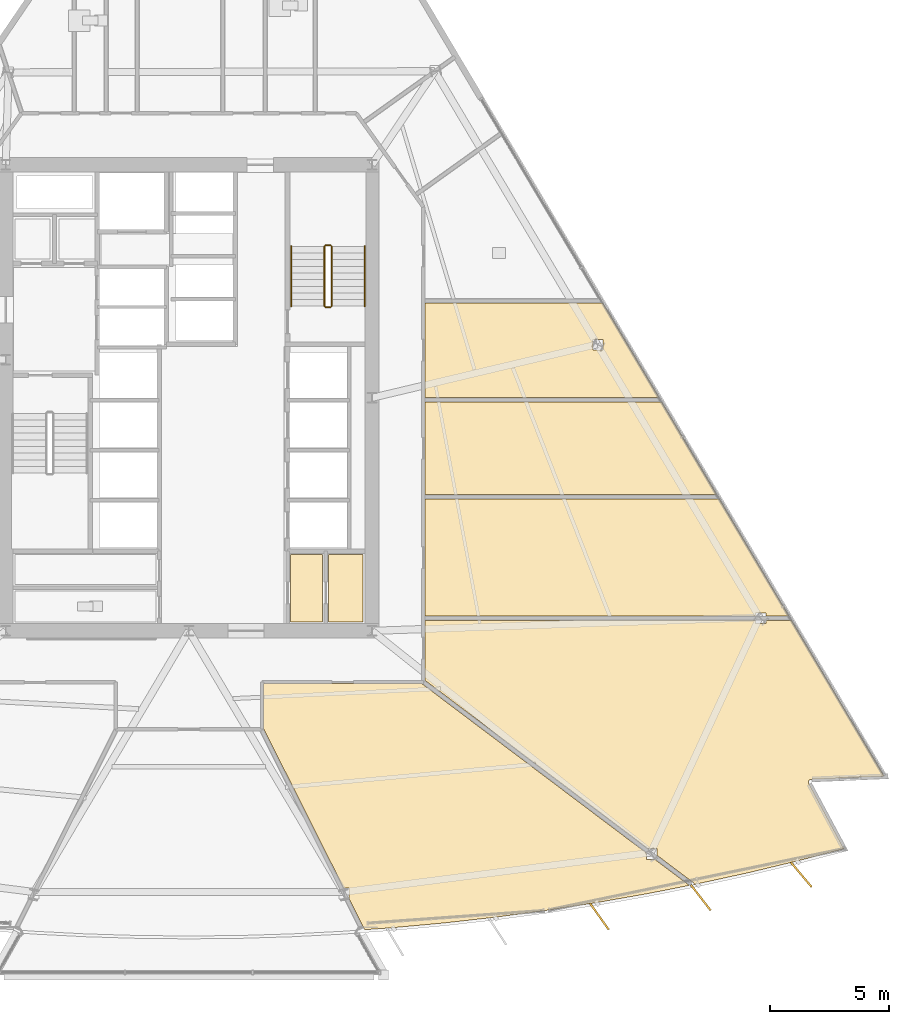
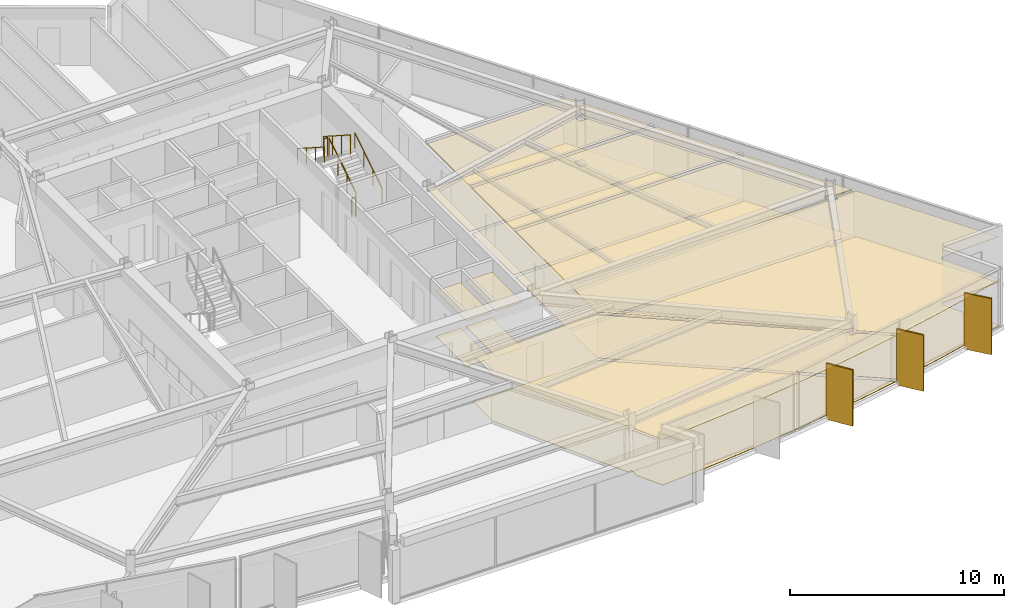
# One storey, part 14 of 16: 14 coverings, 6 railings, 3 shading devices.
"""IFC4 building model written with IfcOpenShell, lengths in metres."""

from ifc_helpers import new_model, si_unit, direction, frame, origin, origin_2d, place, context, subcontext, project, spatial, polyline, rectangle, circle, outline, extrude, material, layer, layer_set, type_object, element, save


model = new_model("IFC4")

# Units and contexts
model_context = context("Model", 3, precision=1e-05, world=origin(), true_north=direction((0.0, 1.0)))
body_context = subcontext(model_context, "Body", "Model", "MODEL_VIEW")
ifc_project = project(units=[si_unit("LENGTHUNIT", "METRE"), si_unit("AREAUNIT", "SQUARE_METRE"), si_unit("VOLUMEUNIT", "CUBIC_METRE"), si_unit("PLANEANGLEUNIT", "RADIAN"), si_unit("MASSUNIT", "GRAM", prefix="KILO")], contexts=[model_context])

# Site, building, storey
site_placement = place(None, origin())
site = spatial("IfcSite", under=ifc_project, at=site_placement, CompositionType="ELEMENT")
building_placement = place(site_placement, origin())
building = spatial("IfcBuilding", under=site, at=building_placement, Name="Savorim Split Tower", CompositionType="ELEMENT")
storey_placement = place(building_placement, frame((0.0, 0.0, 69.60009765625)))
storey = spatial("IfcBuildingStorey", under=building, at=storey_placement, Name="L18", CompositionType="ELEMENT", Elevation=69.60009765625)

# Coverings
ifc_material_1 = material(Name="Mineral Fibre Acoustic Ceiling")
ifc_layer_1 = layer(ifc_material_1, 0.02490234375)
ifc_layer_set_1 = layer_set([ifc_layer_1], Name="COV-CEIL-25")
covering_type_1 = type_object("IfcCoveringType", Name="COV-CEIL-25", PredefinedType="CEILING", material=ifc_layer_set_1)
covering_1_placement = place(storey_placement, frame((0.0, 0.0, 2.599853515625)))
element("IfcCovering", 1, at=covering_1_placement, inside=storey, type_object=covering_type_1, Name="L18 Vending Pantry Acoustic Ceiling", PredefinedType="CEILING", context=body_context, shape_type="SweptSolid", body=[
    extrude(outline(polyline([(4.280029296875, -6.179931640625), (4.280029296875, -9.02001953125), (5.6201171875, -9.02001953125), (5.6201171875, -6.179931640625), (4.280029296875, -6.179931640625)])), origin(), (0.0, 0.0, 1.0), 0.025146484375),
])
covering_2_placement = place(storey_placement, frame((0.0, 0.0, 2.599853515625)))
element("IfcCovering", 2, at=covering_2_placement, inside=storey, type_object=covering_type_1, Name="L18 Recycling Chute Room Acoustic Ceiling", PredefinedType="CEILING", context=body_context, shape_type="SweptSolid", body=[
    extrude(outline(polyline([(5.8798828125, -6.179931640625), (5.8798828125, -9.02001953125), (7.320068359375, -9.02001953125), (7.320068359375, -6.179931640625), (5.8798828125, -6.179931640625)])), origin(), (0.0, 0.0, 1.0), 0.025146484375),
])
covering_3_placement = place(storey_placement, frame((0.0, 0.0, 2.599853515625)))
element("IfcCovering", 3, at=covering_3_placement, inside=storey, type_object=covering_type_1, Name="L18 Maker Workshop Acoustic Ceiling", PredefinedType="CEILING", context=body_context, shape_type="SweptSolid", body=[
    extrude(outline(polyline([(12.898193359375, -21.4375), (15.0341796875, -21.15185546875), (17.163818359375, -20.822265625), (19.286376953125, -20.44921875), (21.047119140625, -20.102783203125), (19.6005859375, -19.011962890625), (19.240478515625, -19.011962890625), (19.240478515625, -18.740478515625), (9.830810546875, -11.64453125), (9.796875, -11.618896484375), (9.793701171875, -11.619384765625), (9.780029296875, -11.6201171875), (3.139892578125, -11.6201171875), (3.139892578125, -13.449951171875), (3.139404296875, -13.463623046875), (3.13720703125, -13.477294921875), (3.134033203125, -13.490478515625), (3.132568359375, -13.494384765625), (6.5126953125, -20.2177734375), (6.73681640625, -20.2177734375), (6.73681640625, -20.663330078125), (7.349365234375, -21.881591796875), (7.391357421875, -21.96533203125), (8.610595703125, -21.877685546875), (10.756591796875, -21.6796875), (12.898193359375, -21.4375)])), origin(), (0.0, 0.0, 1.0), 0.025146484375),
])
covering_4_placement = place(storey_placement, frame((0.0, 0.0, 2.599853515625)))
element("IfcCovering", 4, at=covering_4_placement, inside=storey, type_object=covering_type_1, Name="L18 Co-Working Commons Acoustic Ceiling", PredefinedType="CEILING", context=body_context, shape_type="SweptSolid", body=[
    extrude(outline(polyline([(26.14453125, -15.643798828125), (26.15576171875, -15.6416015625), (26.167236328125, -15.640380859375), (29.23046875, -15.51025390625), (25.32080078125, -8.935302734375), (25.32080078125, -8.96826171875), (24.255615234375, -8.96826171875), (24.255615234375, -9.1005859375), (23.823486328125, -9.1005859375), (23.823486328125, -8.96826171875), (9.919921875, -8.96826171875), (9.919921875, -11.4736328125), (19.312744140625, -18.556884765625), (19.672607421875, -18.556884765625), (19.672607421875, -18.828369140625), (21.17578125, -19.961669921875), (21.25146484375, -20.018798828125), (21.213134765625, -20.070068359375), (21.40087890625, -20.032958984375), (23.50634765625, -19.573486328125), (25.601806640625, -19.071044921875), (27.54052734375, -18.564208984375), (26.066650390625, -15.817138671875), (26.061767578125, -15.806640625), (26.057861328125, -15.7958984375), (26.054931640625, -15.78466796875), (26.052978515625, -15.773193359375), (26.052490234375, -15.76171875), (26.052734375, -15.750244140625), (26.054443359375, -15.73876953125), (26.056884765625, -15.7275390625), (26.060791015625, -15.716552734375), (26.0654296875, -15.7060546875), (26.071044921875, -15.696044921875), (26.077880859375, -15.6865234375), (26.085205078125, -15.677978515625), (26.093505859375, -15.669921875), (26.102783203125, -15.66259765625), (26.1123046875, -15.656494140625), (26.122802734375, -15.651123046875), (26.13330078125, -15.64697265625), (26.14453125, -15.643798828125)])), origin(), (0.0, 0.0, 1.0), 0.025146484375),
])
covering_5_placement = place(storey_placement, frame((0.0, 0.0, 2.599853515625)))
element("IfcCovering", 5, at=covering_5_placement, inside=storey, type_object=covering_type_1, Name="L18 Maker Workshop Acoustic Ceiling", PredefinedType="CEILING", context=body_context, shape_type="SweptSolid", body=[
    extrude(outline(polyline([(24.255615234375, -8.645751953125), (24.255615234375, -8.7783203125), (25.2255859375, -8.7783203125), (25.227294921875, -8.7783203125), (22.302001953125, -3.8583984375), (9.919921875, -3.8583984375), (9.919921875, -8.7783203125), (23.823486328125, -8.7783203125), (23.823486328125, -8.645751953125), (24.255615234375, -8.645751953125)])), origin(), (0.0, 0.0, 1.0), 0.025146484375),
])
covering_6_placement = place(storey_placement, frame((0.0, 0.0, 2.599853515625)))
element("IfcCovering", 6, at=covering_6_placement, inside=storey, type_object=covering_type_1, Name="L18 Communal Lounge Acoustic Ceiling", PredefinedType="CEILING", context=body_context, shape_type="SweptSolid", body=[
    extrude(outline(polyline([(22.18896484375, -3.668212890625), (19.872314453125, 0.227783203125), (9.919921875, 0.227783203125), (9.919921875, -3.668212890625), (22.18896484375, -3.668212890625)])), origin(), (0.0, 0.0, 1.0), 0.025146484375),
])
covering_7_placement = place(storey_placement, frame((0.0, 0.0, 2.599853515625)))
element("IfcCovering", 7, at=covering_7_placement, inside=storey, type_object=covering_type_1, Name="L18 Maker Workshop Acoustic Ceiling", PredefinedType="CEILING", context=body_context, shape_type="SweptSolid", body=[
    extrude(outline(polyline([(19.75927734375, 0.417724609375), (17.400390625, 4.384765625), (9.919921875, 4.384765625), (9.919921875, 0.417724609375), (19.75927734375, 0.417724609375)]), holes=[polyline([(17.414794921875, 2.404052734375), (17.414794921875, 2.85888671875), (16.982666015625, 2.85888671875), (16.982666015625, 2.404052734375), (17.414794921875, 2.404052734375)])]), origin(), (0.0, 0.0, 1.0), 0.025146484375),
])
ifc_material_2 = material(Name="Porcelain Stoneware Flooring", Category="masonry")
ifc_layer_2 = layer(ifc_material_2, 0.02001953125)
ifc_layer_set_2 = layer_set([ifc_layer_2], Name="COV-FLOR-20")
covering_type_2 = type_object("IfcCoveringType", Name="COV-FLOR-20", PredefinedType="FLOORING", material=ifc_layer_set_2)
covering_8_placement = place(storey_placement, origin())
element("IfcCovering", 8, at=covering_8_placement, inside=storey, type_object=covering_type_2, Name="L18 Vending Pantry Porcelain Flooring", PredefinedType="FLOORING", context=body_context, shape_type="SweptSolid", body=[
    extrude(outline(polyline([(4.280029296875, -6.179931640625), (4.280029296875, -9.02001953125), (5.6201171875, -9.02001953125), (5.6201171875, -6.179931640625), (4.280029296875, -6.179931640625)])), origin(), (0.0, 0.0, 1.0), 0.02001953125),
])
covering_9_placement = place(storey_placement, origin())
element("IfcCovering", 9, at=covering_9_placement, inside=storey, type_object=covering_type_2, Name="L18 Recycling Chute Room Porcelain Flooring", PredefinedType="FLOORING", context=body_context, shape_type="SweptSolid", body=[
    extrude(outline(polyline([(5.8798828125, -6.179931640625), (5.8798828125, -9.02001953125), (7.320068359375, -9.02001953125), (7.320068359375, -6.179931640625), (5.8798828125, -6.179931640625)])), origin(), (0.0, 0.0, 1.0), 0.02001953125),
])
covering_10_placement = place(storey_placement, origin())
element("IfcCovering", 10, at=covering_10_placement, inside=storey, type_object=covering_type_2, Name="L18 Maker Workshop Porcelain Flooring", PredefinedType="FLOORING", context=body_context, shape_type="SweptSolid", body=[
    extrude(outline(polyline([(12.898193359375, -21.4375), (15.0341796875, -21.15185546875), (17.163818359375, -20.822265625), (19.286376953125, -20.44921875), (21.047119140625, -20.102783203125), (19.6005859375, -19.011962890625), (19.240478515625, -19.011962890625), (19.240478515625, -18.740478515625), (9.830810546875, -11.64453125), (9.796875, -11.618896484375), (9.793701171875, -11.619384765625), (9.780029296875, -11.6201171875), (3.139892578125, -11.6201171875), (3.139892578125, -13.449951171875), (3.139404296875, -13.463623046875), (3.13720703125, -13.477294921875), (3.134033203125, -13.490478515625), (3.132568359375, -13.494384765625), (6.5126953125, -20.2177734375), (6.73681640625, -20.2177734375), (6.73681640625, -20.663330078125), (7.349365234375, -21.881591796875), (7.391357421875, -21.96533203125), (8.610595703125, -21.877685546875), (10.756591796875, -21.6796875), (12.898193359375, -21.4375)])), origin(), (0.0, 0.0, 1.0), 0.02001953125),
])
covering_11_placement = place(storey_placement, origin())
element("IfcCovering", 11, at=covering_11_placement, inside=storey, type_object=covering_type_2, Name="L18 Co-Working Commons Porcelain Flooring", PredefinedType="FLOORING", context=body_context, shape_type="SweptSolid", body=[
    extrude(outline(polyline([(26.14453125, -15.643798828125), (26.15576171875, -15.6416015625), (26.167236328125, -15.640380859375), (29.23046875, -15.51025390625), (25.32080078125, -8.935302734375), (25.32080078125, -8.96826171875), (24.255615234375, -8.96826171875), (24.255615234375, -9.1005859375), (23.823486328125, -9.1005859375), (23.823486328125, -8.96826171875), (9.919921875, -8.96826171875), (9.919921875, -11.4736328125), (19.312744140625, -18.556884765625), (19.672607421875, -18.556884765625), (19.672607421875, -18.828369140625), (21.17578125, -19.961669921875), (21.25146484375, -20.018798828125), (21.213134765625, -20.070068359375), (21.40087890625, -20.032958984375), (23.50634765625, -19.573486328125), (25.601806640625, -19.071044921875), (27.54052734375, -18.564208984375), (26.066650390625, -15.817138671875), (26.061767578125, -15.806640625), (26.057861328125, -15.7958984375), (26.054931640625, -15.78466796875), (26.052978515625, -15.773193359375), (26.052490234375, -15.76171875), (26.052734375, -15.750244140625), (26.054443359375, -15.73876953125), (26.056884765625, -15.7275390625), (26.060791015625, -15.716552734375), (26.0654296875, -15.7060546875), (26.071044921875, -15.696044921875), (26.077880859375, -15.6865234375), (26.085205078125, -15.677978515625), (26.093505859375, -15.669921875), (26.102783203125, -15.66259765625), (26.1123046875, -15.656494140625), (26.122802734375, -15.651123046875), (26.13330078125, -15.64697265625), (26.14453125, -15.643798828125)])), origin(), (0.0, 0.0, 1.0), 0.02001953125),
])
covering_12_placement = place(storey_placement, origin())
element("IfcCovering", 12, at=covering_12_placement, inside=storey, type_object=covering_type_2, Name="L18 Maker Workshop Porcelain Flooring", PredefinedType="FLOORING", context=body_context, shape_type="SweptSolid", body=[
    extrude(outline(polyline([(24.255615234375, -8.645751953125), (24.255615234375, -8.7783203125), (25.2255859375, -8.7783203125), (25.227294921875, -8.7783203125), (22.302001953125, -3.8583984375), (9.919921875, -3.8583984375), (9.919921875, -8.7783203125), (23.823486328125, -8.7783203125), (23.823486328125, -8.645751953125), (24.255615234375, -8.645751953125)])), origin(), (0.0, 0.0, 1.0), 0.02001953125),
])
covering_13_placement = place(storey_placement, origin())
element("IfcCovering", 13, at=covering_13_placement, inside=storey, type_object=covering_type_2, Name="L18 Communal Lounge Porcelain Flooring", PredefinedType="FLOORING", context=body_context, shape_type="SweptSolid", body=[
    extrude(outline(polyline([(22.18896484375, -3.668212890625), (19.872314453125, 0.227783203125), (9.919921875, 0.227783203125), (9.919921875, -3.668212890625), (22.18896484375, -3.668212890625)])), origin(), (0.0, 0.0, 1.0), 0.02001953125),
])
covering_14_placement = place(storey_placement, origin())
element("IfcCovering", 14, at=covering_14_placement, inside=storey, type_object=covering_type_2, Name="L18 Maker Workshop Porcelain Flooring", PredefinedType="FLOORING", context=body_context, shape_type="SweptSolid", body=[
    extrude(outline(polyline([(19.75927734375, 0.417724609375), (17.400390625, 4.384765625), (9.919921875, 4.384765625), (9.919921875, 0.417724609375), (19.75927734375, 0.417724609375)]), holes=[polyline([(17.414794921875, 2.404052734375), (17.414794921875, 2.85888671875), (16.982666015625, 2.85888671875), (16.982666015625, 2.404052734375), (17.414794921875, 2.404052734375)])]), origin(), (0.0, 0.0, 1.0), 0.02001953125),
])

# Railings
ifc_material_3 = material(Name="Galvanised Painted Steel Balustrade", Category="steel")
railing_type_1 = type_object("IfcRailingType", Name="RLG-HR-900", PredefinedType="HANDRAIL", material=ifc_material_3)
railing_1_placement = place(storey_placement, frame((7.39990234375, 4.25, 0.179931640625)))
element("IfcRailing", 15, at=railing_1_placement, inside=storey, type_object=railing_type_1, Name="L18 ST-2 stair handrail 1", PredefinedType="HANDRAIL", context=body_context, shape_type="SweptSolid", body=[
    extrude(circle(Radius=0.02392578125, at=origin_2d()), frame((0.0, 0.0, 0.8759765625), z_axis=(0.0, 0.841199657755, 0.540724639528), x_axis=(-1.0, 0.0, 0.0)), (0.0, 0.0, 1.0), 2.995849609375),
    extrude(circle(Radius=0.02099609375, at=origin_2d()), origin(), (0.0, 0.0, 1.0), 0.851806640625),
    extrude(circle(Radius=0.02099609375, at=origin_2d()), frame((0.0, 0.840087890625, 0.5400390625)), (0.0, 0.0, 1.0), 0.851806640625),
    extrude(circle(Radius=0.02099609375, at=origin_2d()), frame((0.0, 1.679931640625, 1.079833984375)), (0.0, 0.0, 1.0), 0.851806640625),
    extrude(circle(Radius=0.02099609375, at=origin_2d()), frame((0.0, 2.52001953125, 1.619873046875)), (0.0, 0.0, 1.0), 0.851806640625),
])
railing_2_placement = place(storey_placement, frame((4.300048828125, 6.77001953125, 1.97998046875)))
element("IfcRailing", 16, at=railing_2_placement, inside=storey, type_object=railing_type_1, Name="L18 ST-2 stair handrail 2", PredefinedType="HANDRAIL", context=body_context, shape_type="SweptSolid", body=[
    extrude(circle(Radius=0.02392578125, at=origin_2d()), frame((0.0, 0.0, 0.8759765625), z_axis=(0.0, -0.841199657755, 0.540724639528), x_axis=(1.0, 0.0, 0.0)), (0.0, 0.0, 1.0), 2.995849609375),
    extrude(circle(Radius=0.02099609375, at=origin_2d()), origin(), (0.0, 0.0, 1.0), 0.851806640625),
    extrude(circle(Radius=0.02099609375, at=origin_2d()), frame((0.0, -0.840087890625, 0.5400390625)), (0.0, 0.0, 1.0), 0.851806640625),
    extrude(circle(Radius=0.02099609375, at=origin_2d()), frame((0.0, -1.679931640625, 1.079833984375)), (0.0, 0.0, 1.0), 0.851806640625),
    extrude(circle(Radius=0.02099609375, at=origin_2d()), frame((0.0, -2.52001953125, 1.619873046875)), (0.0, 0.0, 1.0), 0.851806640625),
])
railing_type_2 = type_object("IfcRailingType", Name="RLG-STG-1100", PredefinedType="BALUSTRADE", material=ifc_material_3)
railing_3_placement = place(storey_placement, frame((6.0, 4.25, 0.179931640625)))
element("IfcRailing", 17, at=railing_3_placement, inside=storey, type_object=railing_type_2, Name="L18 ST-2 stair guard 1", PredefinedType="BALUSTRADE", context=body_context, shape_type="SweptSolid", body=[
    extrude(circle(Radius=0.02392578125, at=origin_2d()), frame((0.0, 0.0, 1.076171875), z_axis=(0.0, 0.841199657755, 0.540724639528), x_axis=(-1.0, 0.0, 0.0)), (0.0, 0.0, 1.0), 2.995849609375),
    extrude(circle(Radius=0.02099609375, at=origin_2d()), origin(), (0.0, 0.0, 1.0), 1.052001953125),
    extrude(circle(Radius=0.02099609375, at=origin_2d()), frame((0.0, 0.840087890625, 0.5400390625)), (0.0, 0.0, 1.0), 1.052001953125),
    extrude(circle(Radius=0.02099609375, at=origin_2d()), frame((0.0, 1.679931640625, 1.079833984375)), (0.0, 0.0, 1.0), 1.052001953125),
    extrude(circle(Radius=0.02099609375, at=origin_2d()), frame((0.0, 2.52001953125, 1.619873046875)), (0.0, 0.0, 1.0), 1.052001953125),
])
railing_4_placement = place(storey_placement, frame((5.949951171875, 6.820068359375, 1.7998046875)))
element("IfcRailing", 18, at=railing_4_placement, inside=storey, type_object=railing_type_2, Name="L18 ST-2 stair guard 2", PredefinedType="BALUSTRADE", context=body_context, shape_type="SweptSolid", body=[
    extrude(circle(Radius=0.02392578125, at=origin_2d()), frame((0.0, 0.0, 1.076171875), z_axis=(-1.0, 0.0, 0.0), x_axis=(0.0, -1.0, 0.0)), (0.0, 0.0, 1.0), 0.199951171875),
    extrude(circle(Radius=0.02099609375, at=origin_2d()), origin(), (0.0, 0.0, 1.0), 1.052001953125),
    extrude(circle(Radius=0.02099609375, at=origin_2d()), frame((-0.199951171875, 0.0, 0.0)), (0.0, 0.0, 1.0), 1.052001953125),
])
railing_5_placement = place(storey_placement, frame((5.699951171875, 6.77001953125, 1.97998046875)))
element("IfcRailing", 19, at=railing_5_placement, inside=storey, type_object=railing_type_2, Name="L18 ST-2 stair guard 3", PredefinedType="BALUSTRADE", context=body_context, shape_type="SweptSolid", body=[
    extrude(circle(Radius=0.02392578125, at=origin_2d()), frame((0.0, 0.0, 1.076171875), z_axis=(0.0, -0.841199657755, 0.540724639528), x_axis=(1.0, 0.0, 0.0)), (0.0, 0.0, 1.0), 2.995849609375),
    extrude(circle(Radius=0.02099609375, at=origin_2d()), origin(), (0.0, 0.0, 1.0), 1.052001953125),
    extrude(circle(Radius=0.02099609375, at=origin_2d()), frame((0.0, -0.840087890625, 0.5400390625)), (0.0, 0.0, 1.0), 1.052001953125),
    extrude(circle(Radius=0.02099609375, at=origin_2d()), frame((0.0, -1.679931640625, 1.079833984375)), (0.0, 0.0, 1.0), 1.052001953125),
    extrude(circle(Radius=0.02099609375, at=origin_2d()), frame((0.0, -2.52001953125, 1.619873046875)), (0.0, 0.0, 1.0), 1.052001953125),
])
railing_6_placement = place(storey_placement, frame((5.949951171875, 4.199951171875, 0.0)))
element("IfcRailing", 20, at=railing_6_placement, inside=storey, type_object=railing_type_2, Name="L18 ST-2 stair guard 4", PredefinedType="BALUSTRADE", context=body_context, shape_type="SweptSolid", body=[
    extrude(circle(Radius=0.02392578125, at=origin_2d()), frame((0.0, 0.0, 1.076171875), z_axis=(-1.0, 0.0, 0.0), x_axis=(0.0, -1.0, 0.0)), (0.0, 0.0, 1.0), 0.199951171875),
    extrude(circle(Radius=0.02099609375, at=origin_2d()), origin(), (0.0, 0.0, 1.0), 1.052001953125),
    extrude(circle(Radius=0.02099609375, at=origin_2d()), frame((-0.199951171875, 0.0, 0.0)), (0.0, 0.0, 1.0), 1.052001953125),
])

# Shading devices
ifc_material_4 = material(Name="Terracotta Ceramic-Coated Aluminium Fin", Category="masonry")
shading_device_type = type_object("IfcShadingDeviceType", Name="SHD-FIN-1360", PredefinedType="USERDEFINED", material=ifc_material_4)
for number, where, z_axis, x_axis, name in (
    (21, (17.260986328125, -21.410400390625, -0.2001953125), (0.0, 0.0, 1.0), (0.578993757737, -0.815331974414, 0.0), "L18 Sawtooth Shading Fin 11"),
    (22, (21.52197265625, -20.61669921875, -0.2001953125), (0.0, 0.0, 1.0), (0.611868076908, -0.790959832394, 0.0), "L18 Sawtooth Shading Fin 12"),
    (23, (25.746826171875, -19.649169921875, -0.2001953125), (0.0, 0.0, 1.0), (0.643719022682, -0.765261928909, 0.0), "L18 Sawtooth Shading Fin 13"),
):
    element("IfcShadingDevice", number, at=place(storey_placement, frame(where, z_axis=z_axis, x_axis=x_axis)), inside=storey, type_object=shading_device_type, Name=name, ObjectType="FIN", PredefinedType="USERDEFINED", context=body_context, shape_type="SweptSolid", body=[
        extrude(rectangle(XDim=1.360107421875, YDim=0.080078125, at=origin_2d()), origin(), (0.0, 0.0, 1.0), 3.199951171875),
    ])

save(model, "model.ifc")
